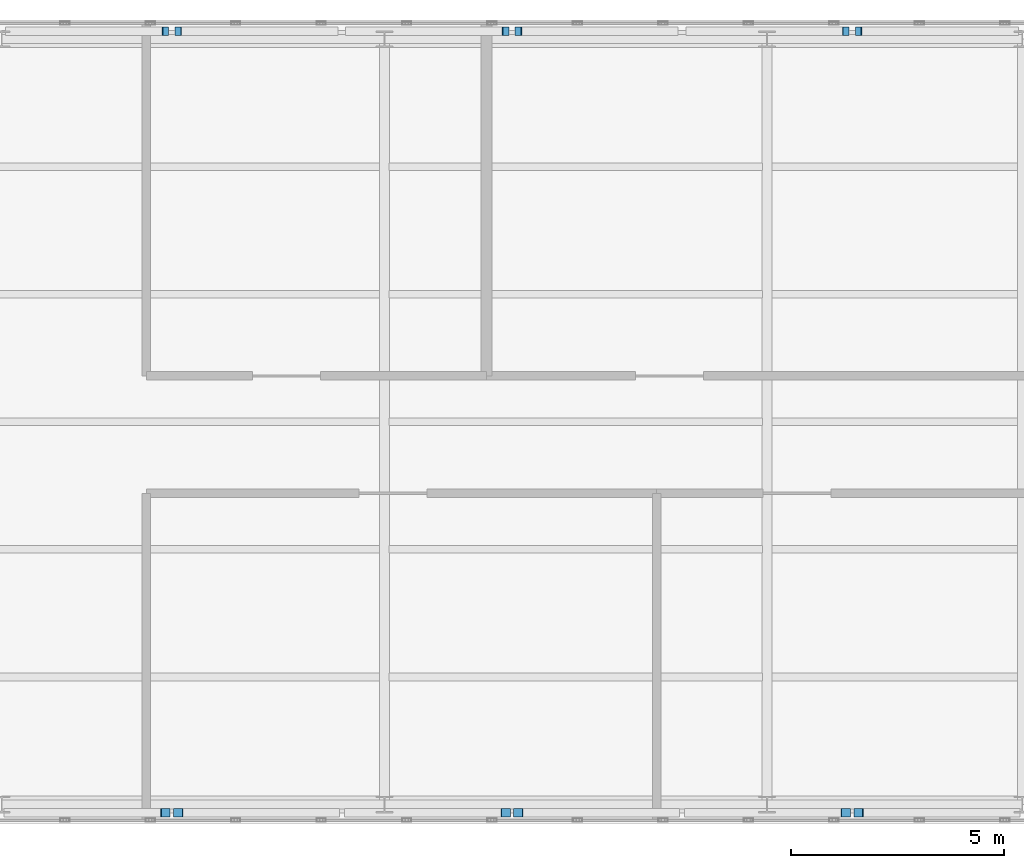
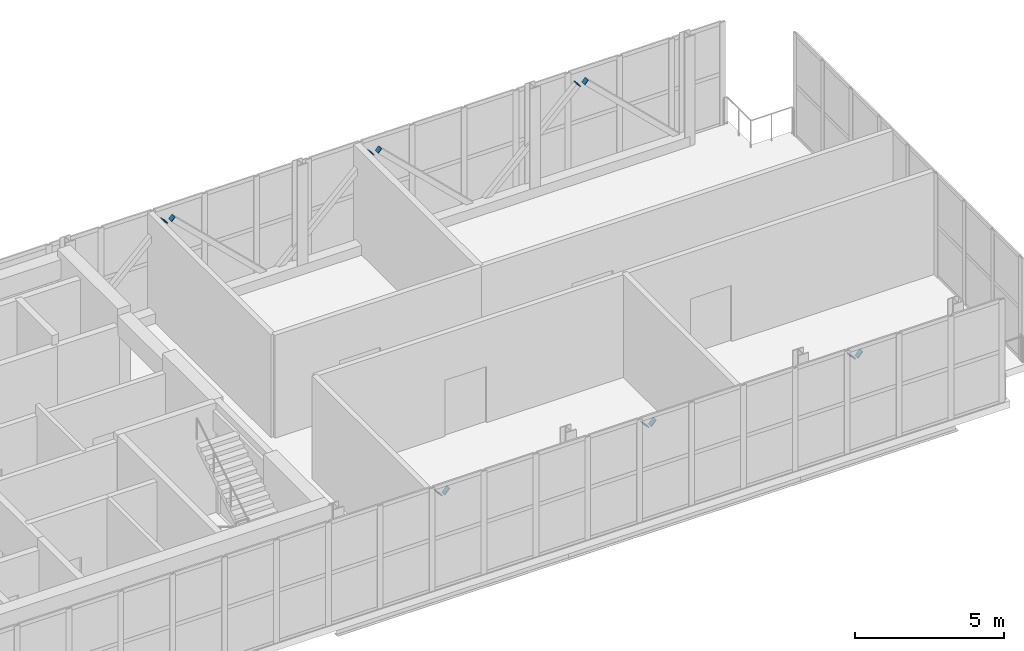
# One storey, part 20 of 21: 12 discrete accessories.
"""IFC4 building model written with IfcOpenShell, lengths in metres."""

from ifc_helpers import new_model, si_unit, direction, frame, origin, origin_2d, place, context, subcontext, project, spatial, rectangle, extrude, material, material_profile, profile_set, type_object, element, save


model = new_model("IFC4")

# Units and contexts
model_context = context("Model", 3, precision=1e-05, world=origin(), true_north=direction((0.0, 1.0)))
body_context = subcontext(model_context, "Body", "Model", "MODEL_VIEW")
ifc_project = project(units=[si_unit("LENGTHUNIT", "METRE"), si_unit("AREAUNIT", "SQUARE_METRE"), si_unit("VOLUMEUNIT", "CUBIC_METRE"), si_unit("PLANEANGLEUNIT", "RADIAN"), si_unit("MASSUNIT", "GRAM", prefix="KILO")], contexts=[model_context])

# Site, building, storey
site_placement = place(None, origin())
site = spatial("IfcSite", under=ifc_project, at=site_placement, CompositionType="ELEMENT")
building_placement = place(site_placement, origin())
building = spatial("IfcBuilding", under=site, at=building_placement, Name="Mawjdan Bourse Tower", CompositionType="ELEMENT")
storey_placement = place(building_placement, frame((0.0, 0.0, 313.199951171875)))
storey = spatial("IfcBuildingStorey", under=building, at=storey_placement, Name="L77", CompositionType="ELEMENT", Elevation=313.199951171875)

# Discrete accessories
ifc_material_1 = material(Name="Structural Steel S355", Category="steel")
ifc_material_profile_1 = material_profile(ifc_material_1, rectangle(XDim=0.199951171875, YDim=0.199951171875, at=origin_2d()), Name="EPL-HSS200X200X10")
ifc_profile_set_1 = profile_set([ifc_material_profile_1], Name="Structural Steel S355")
discrete_accessory_type_1 = type_object("IfcDiscreteAccessoryType", Name="EPL-HSS200X200X10", PredefinedType="NOTDEFINED", material=ifc_profile_set_1)
for number, where, z_axis, x_axis, name in (
    (1, (27.840087890625, 21.18994140625, 3.77001953125), (0.716858570585, 0.0, 0.697218609747), (0.0, 1.0, 0.0), "L77 Lantern Crown Braced Frame North Apex End Plate 1"),
    (2, (28.159912109375, 21.18994140625, 3.77001953125), (-0.716858570585, 0.0, 0.697218609747), (0.0, -1.0, 0.0), "L77 Lantern Crown Braced Frame North Apex End Plate 2"),
    (3, (35.840087890625, 21.18994140625, 3.77001953125), (0.716858570585, 0.0, 0.697218609747), (0.0, 1.0, 0.0), "L77 Lantern Crown Braced Frame North Apex End Plate 3"),
    (4, (36.159912109375, 21.18994140625, 3.77001953125), (-0.716858570585, 0.0, 0.697218609747), (0.0, -1.0, 0.0), "L77 Lantern Crown Braced Frame North Apex End Plate 4"),
    (5, (43.840087890625, 21.18994140625, 3.77001953125), (0.716858570585, 0.0, 0.697218609747), (0.0, 1.0, 0.0), "L77 Lantern Crown Braced Frame North Apex End Plate 5"),
    (6, (44.159912109375, 21.18994140625, 3.77001953125), (-0.716858570585, 0.0, 0.697218609747), (0.0, -1.0, 0.0), "L77 Lantern Crown Braced Frame North Apex End Plate 6"),
):
    element("IfcDiscreteAccessory", number, at=place(storey_placement, frame(where, z_axis=z_axis, x_axis=x_axis)), inside=storey, type_object=discrete_accessory_type_1, Name=name, PredefinedType="NOTDEFINED", context=body_context, shape_type="SweptSolid", body=[
        extrude(rectangle(XDim=0.199951171875, YDim=0.199951171875, at=origin_2d()), origin(), (0.0, 0.0, 1.0), 0.02490234375),
    ])
ifc_material_2 = material(Name="Structural Steel S460", Category="steel")
ifc_material_profile_2 = material_profile(ifc_material_2, rectangle(XDim=0.199951171875, YDim=0.300048828125, at=origin_2d()), Name="EPL-HSS300X200X12.5")
ifc_profile_set_2 = profile_set([ifc_material_profile_2], Name="Structural Steel S460")
discrete_accessory_type_2 = type_object("IfcDiscreteAccessoryType", Name="EPL-HSS300X200X12.5", PredefinedType="NOTDEFINED", material=ifc_profile_set_2)
for number, where, z_axis, x_axis, name in (
    (7, (27.840087890625, 2.81005859375, 3.77001953125), (0.716858570585, 0.0, 0.697218609747), (0.0, 1.0, 0.0), "L77 Lantern Crown Braced Frame South Apex End Plate 1"),
    (8, (28.159912109375, 2.81005859375, 3.77001953125), (-0.716858570585, 0.0, 0.697218609747), (0.0, -1.0, 0.0), "L77 Lantern Crown Braced Frame South Apex End Plate 2"),
    (9, (35.840087890625, 2.81005859375, 3.77001953125), (0.716858570585, 0.0, 0.697218609747), (0.0, 1.0, 0.0), "L77 Lantern Crown Braced Frame South Apex End Plate 3"),
    (10, (36.159912109375, 2.81005859375, 3.77001953125), (-0.716858570585, 0.0, 0.697218609747), (0.0, -1.0, 0.0), "L77 Lantern Crown Braced Frame South Apex End Plate 4"),
    (11, (43.840087890625, 2.81005859375, 3.77001953125), (0.716858570585, 0.0, 0.697218609747), (0.0, 1.0, 0.0), "L77 Lantern Crown Braced Frame South Apex End Plate 5"),
    (12, (44.159912109375, 2.81005859375, 3.77001953125), (-0.716858570585, 0.0, 0.697218609747), (0.0, -1.0, 0.0), "L77 Lantern Crown Braced Frame South Apex End Plate 6"),
):
    element("IfcDiscreteAccessory", number, at=place(storey_placement, frame(where, z_axis=z_axis, x_axis=x_axis)), inside=storey, type_object=discrete_accessory_type_2, Name=name, PredefinedType="NOTDEFINED", context=body_context, shape_type="SweptSolid", body=[
        extrude(rectangle(XDim=0.199951171875, YDim=0.300048828125, at=origin_2d()), origin(), (0.0, 0.0, 1.0), 0.02490234375),
    ])

save(model, "model.ifc")
